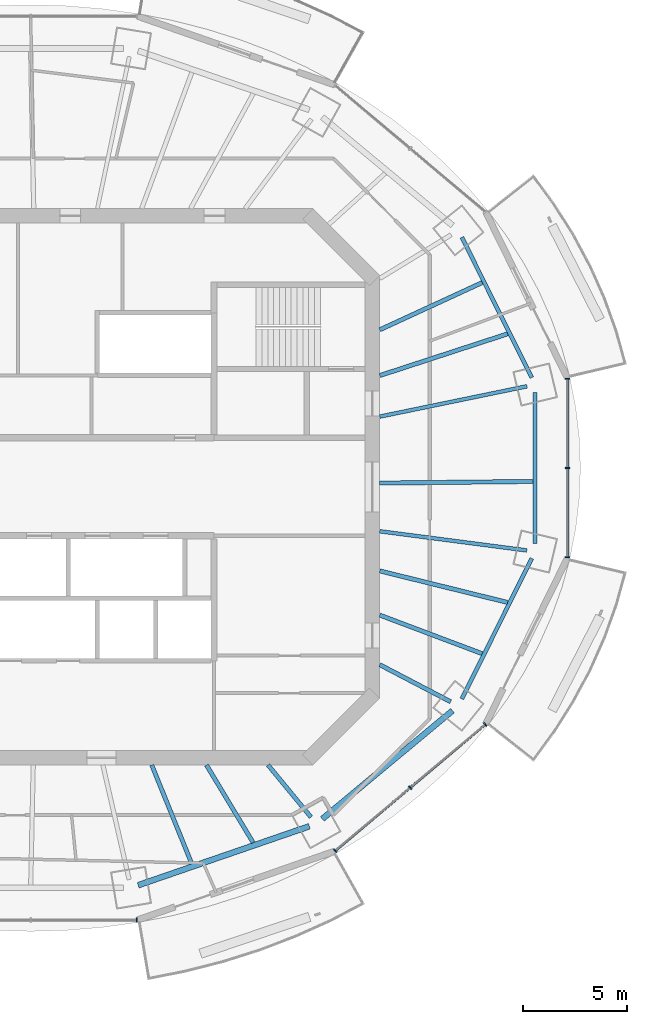
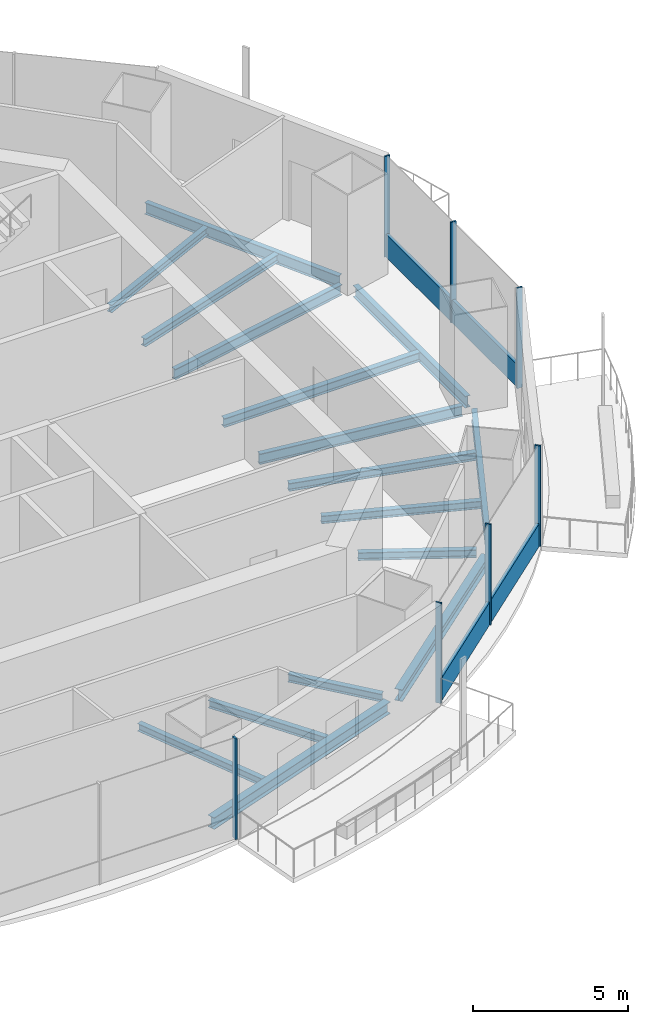
# One storey, part 4 of 16: 16 beams, 9 members, 3 elements without a shape of their own.
"""IFC4 building model written with IfcOpenShell, lengths in metres."""

from ifc_helpers import new_model, si_unit, direction, frame, origin, origin_2d, place, context, subcontext, project, spatial, rectangle, i_section, extrude, material, material_profile, profile_set, type_object, element, aggregate, save


model = new_model("IFC4")

# Units and contexts
model_context = context("Model", 3, precision=1e-05, world=origin(), true_north=direction((0.0, 1.0)))
body_context = subcontext(model_context, "Body", "Model", "MODEL_VIEW")
ifc_project = project(units=[si_unit("LENGTHUNIT", "METRE"), si_unit("AREAUNIT", "SQUARE_METRE"), si_unit("VOLUMEUNIT", "CUBIC_METRE"), si_unit("PLANEANGLEUNIT", "RADIAN"), si_unit("MASSUNIT", "GRAM", prefix="KILO")], contexts=[model_context])

# Site, building, storey
site_placement = place(None, origin())
site = spatial("IfcSite", under=ifc_project, at=site_placement, CompositionType="ELEMENT")
building_placement = place(site_placement, origin())
building = spatial("IfcBuilding", under=site, at=building_placement, Name="Marenthal Gate Tower", CompositionType="ELEMENT")
storey_placement = place(building_placement, frame((0.0, 0.0, 363.35009765625)))
storey = spatial("IfcBuildingStorey", under=building, at=storey_placement, Name="L82", CompositionType="ELEMENT", Elevation=363.35009765625)

# Curtain wall, member
ifc_material_1 = material(Name="Aluminium and glass", Category="aluminium")
curtain_wall_type = type_object("IfcCurtainWallType", Name="Curtain wall typical high", PredefinedType="NOTDEFINED", material=ifc_material_1)
curtain_wall_1_placement = place(storey_placement, origin())
curtain_wall_1 = element("IfcCurtainWall", 1, at=curtain_wall_1_placement, inside=storey, type_object=curtain_wall_type, Name="Curtain wall L82 bay 12", PredefinedType="NOTDEFINED")
ifc_material_2 = material(Name="Aluminium", Category="aluminium")
ifc_material_profile_1 = material_profile(ifc_material_2, rectangle(XDim=0.199951171875, YDim=0.06005859375, at=origin_2d()), Name="60x200 aluminium mullion")
ifc_profile_set_1 = profile_set([ifc_material_profile_1], Name="Aluminium")
member_type_1 = type_object("IfcMemberType", Name="Mullion 60x200 typical high", PredefinedType="MULLION", material=ifc_profile_set_1)
member_1_placement = place(storey_placement, frame((4.694091796875, -20.7861328125, 0.0), z_axis=(0.0, 0.0, 1.0), x_axis=(0.0, 1.0, 0.0)))
member_1 = element("IfcMember", 2, at=member_1_placement, type_object=member_type_1, Name="Mullion L82 bay 12.3", PredefinedType="MULLION", context=body_context, shape_type="SweptSolid", body=[
    extrude(rectangle(XDim=0.199951171875, YDim=0.06005859375, at=origin_2d()), origin(), (0.0, 0.0, 1.0), 3.969970703125),
])
aggregate(curtain_wall_1, [member_1])

# Curtain wall, members
curtain_wall_2_placement = place(storey_placement, origin())
curtain_wall_2 = element("IfcCurtainWall", 3, at=curtain_wall_2_placement, inside=storey, type_object=curtain_wall_type, Name="Curtain wall L82 bay 14", PredefinedType="NOTDEFINED")
member_2_placement = place(storey_placement, frame((14.215087890625, -17.46533203125, 0.0), z_axis=(0.0, 0.0, 1.0), x_axis=(-0.644022605429, 0.765006459905, 0.0)))
member_2 = element("IfcMember", 4, at=member_2_placement, type_object=member_type_1, Name="Mullion L82 bay 14.1", PredefinedType="MULLION", context=body_context, shape_type="SweptSolid", body=[
    extrude(rectangle(XDim=0.199951171875, YDim=0.06005859375, at=origin_2d()), origin(), (0.0, 0.0, 1.0), 3.969970703125),
])
member_3_placement = place(storey_placement, frame((17.8154296875, -14.434326171875, 0.0), z_axis=(0.0, 0.0, 1.0), x_axis=(-0.644022605429, 0.765006459905, 0.0)))
member_3 = element("IfcMember", 5, at=member_3_placement, type_object=member_type_1, Name="Mullion L82 bay 14.2", PredefinedType="MULLION", context=body_context, shape_type="SweptSolid", body=[
    extrude(rectangle(XDim=0.199951171875, YDim=0.06005859375, at=origin_2d()), origin(), (0.0, 0.0, 1.0), 3.969970703125),
])
member_4_placement = place(storey_placement, frame((21.41552734375, -11.403564453125, 0.0), z_axis=(0.0, 0.0, 1.0), x_axis=(-0.644022605429, 0.765006459905, 0.0)))
member_4 = element("IfcMember", 6, at=member_4_placement, type_object=member_type_1, Name="Mullion L82 bay 14.3", PredefinedType="MULLION", context=body_context, shape_type="SweptSolid", body=[
    extrude(rectangle(XDim=0.199951171875, YDim=0.06005859375, at=origin_2d()), origin(), (0.0, 0.0, 1.0), 3.969970703125),
])

curtain_wall_3_placement = place(storey_placement, origin())
curtain_wall_3 = element("IfcCurtainWall", 7, at=curtain_wall_3_placement, inside=storey, type_object=curtain_wall_type, Name="Curtain wall L82 bay 16", PredefinedType="NOTDEFINED")
member_5_placement = place(storey_placement, frame((25.3603515625, -3.383544921875, 0.0), z_axis=(0.0, 0.0, 1.0), x_axis=(-1.0, 0.0, 0.0)))
member_5 = element("IfcMember", 8, at=member_5_placement, type_object=member_type_1, Name="Mullion L82 bay 16.1", PredefinedType="MULLION", context=body_context, shape_type="SweptSolid", body=[
    extrude(rectangle(XDim=0.199951171875, YDim=0.06005859375, at=origin_2d()), origin(), (0.0, 0.0, 1.0), 3.969970703125),
])
member_6_placement = place(storey_placement, frame((25.3603515625, 0.89990234375, 0.0), z_axis=(0.0, 0.0, 1.0), x_axis=(-1.0, 0.0, 0.0)))
member_6 = element("IfcMember", 9, at=member_6_placement, type_object=member_type_1, Name="Mullion L82 bay 16.2", PredefinedType="MULLION", context=body_context, shape_type="SweptSolid", body=[
    extrude(rectangle(XDim=0.199951171875, YDim=0.06005859375, at=origin_2d()), origin(), (0.0, 0.0, 1.0), 3.969970703125),
])
member_7_placement = place(storey_placement, frame((25.3603515625, 5.18359375, 0.0), z_axis=(0.0, 0.0, 1.0), x_axis=(-1.0, 0.0, 0.0)))
member_7 = element("IfcMember", 10, at=member_7_placement, type_object=member_type_1, Name="Mullion L82 bay 16.3", PredefinedType="MULLION", context=body_context, shape_type="SweptSolid", body=[
    extrude(rectangle(XDim=0.199951171875, YDim=0.06005859375, at=origin_2d()), origin(), (0.0, 0.0, 1.0), 3.969970703125),
])

# Member
ifc_material_3 = material(Name="Aluminium", Category="aluminium")
ifc_material_profile_2 = material_profile(ifc_material_3, rectangle(XDim=0.1201171875, YDim=0.89990234375, at=origin_2d()), Name="120x900 aluminium transom")
ifc_profile_set_2 = profile_set([ifc_material_profile_2], Name="Aluminium")
member_type_2 = type_object("IfcMemberType", Name="Transom 120x900 typical high", PredefinedType="USERDEFINED", material=ifc_profile_set_2)
member_8_placement = place(storey_placement, frame((14.238037109375, -17.446044921875, 0.449951171875), z_axis=(0.764999870882, 0.644030432162, 0.0), x_axis=(-0.644030432162, 0.764999870882, 0.0)))
member_8 = element("IfcMember", 11, at=member_8_placement, type_object=member_type_2, Name="Transom L82 bay 14", ObjectType="TRANSOM", PredefinedType="USERDEFINED", context=body_context, shape_type="SweptSolid", body=[
    extrude(rectangle(XDim=0.1201171875, YDim=0.89990234375, at=origin_2d()), origin(), (0.0, 0.0, 1.0), 9.352294921875),
])

aggregate(curtain_wall_2, [member_2, member_3, member_4, member_8])

member_9_placement = place(storey_placement, frame((25.3603515625, -3.353515625, 0.449951171875), z_axis=(0.0, 1.0, 0.0), x_axis=(-1.0, 0.0, 0.0)))
member_9 = element("IfcMember", 12, at=member_9_placement, type_object=member_type_2, Name="Transom L82 bay 16", ObjectType="TRANSOM", PredefinedType="USERDEFINED", context=body_context, shape_type="SweptSolid", body=[
    extrude(rectangle(XDim=0.1201171875, YDim=0.89990234375, at=origin_2d()), origin(), (0.0, 0.0, 1.0), 8.507080078125),
])

aggregate(curtain_wall_3, [member_5, member_6, member_7, member_9])

# Beams
ifc_material_4 = material(Name="Steel S355", Category="steel")
ifc_material_profile_3 = material_profile(ifc_material_4, i_section(OverallWidth=0.202880859375, OverallDepth=0.302001953125, WebThickness=0.007568359375, FlangeThickness=0.01318359375, FilletRadius=0.0126953125, at=origin_2d()), Name="W310X60")
ifc_profile_set_3 = profile_set([ifc_material_profile_3], Name="Steel S355")
beam_type_1 = type_object("IfcBeamType", Name="W310X60 beam", PredefinedType="BEAM", material=ifc_profile_set_3)
beam_1_placement = place(storey_placement, frame((21.2666015625, 9.79931640625, -0.3310546875), z_axis=(-0.90822452273, -0.418483233013, 0.0), x_axis=(0.418483233013, -0.90822452273, 0.0)))
element("IfcBeam", 13, at=beam_1_placement, inside=storey, type_object=beam_type_1, Name="BM-L82-18", PredefinedType="BEAM", context=body_context, shape_type="SweptSolid", body=[
    extrude(i_section(OverallWidth=0.202880859375, OverallDepth=0.302001953125, WebThickness=0.007568359375, FlangeThickness=0.01318359375, FilletRadius=0.0126953125, at=origin_2d()), origin(), (0.0, 0.0, 1.0), 5.413330078125),
])
beam_2_placement = place(storey_placement, frame((7.32958984375, -18.085205078125, -0.3310546875), z_axis=(-0.375629684386, 0.92676984209, 0.0), x_axis=(-0.92676984209, -0.375629684386, 0.0)))
element("IfcBeam", 14, at=beam_2_placement, inside=storey, type_object=beam_type_1, Name="BM-L82-34", PredefinedType="BEAM", context=body_context, shape_type="SweptSolid", body=[
    extrude(i_section(OverallWidth=0.202880859375, OverallDepth=0.302001953125, WebThickness=0.007568359375, FlangeThickness=0.01318359375, FilletRadius=0.0126953125, at=origin_2d()), origin(), (0.0, 0.0, 1.0), 5.109375),
])
beam_3_placement = place(storey_placement, frame((10.274658203125, -17.070556640625, -0.3310546875), z_axis=(-0.515718873754, 0.856757867343, 0.0), x_axis=(-0.856757867343, -0.515718873754, 0.0)))
element("IfcBeam", 15, at=beam_3_placement, inside=storey, type_object=beam_type_1, Name="BM-L82-35", PredefinedType="BEAM", context=body_context, shape_type="SweptSolid", body=[
    extrude(i_section(OverallWidth=0.202880859375, OverallDepth=0.302001953125, WebThickness=0.007568359375, FlangeThickness=0.01318359375, FilletRadius=0.0126953125, at=origin_2d()), origin(), (0.0, 0.0, 1.0), 4.342529296875),
])
beam_4_placement = place(storey_placement, frame((21.263671875, -8.005615234375, -0.3310546875), z_axis=(-0.935858242886, 0.352376714926, 0.0), x_axis=(-0.352376714926, -0.935858242886, 0.0)))
element("IfcBeam", 16, at=beam_4_placement, inside=storey, type_object=beam_type_1, Name="BM-L82-36", PredefinedType="BEAM", context=body_context, shape_type="SweptSolid", body=[
    extrude(i_section(OverallWidth=0.202880859375, OverallDepth=0.302001953125, WebThickness=0.007568359375, FlangeThickness=0.01318359375, FilletRadius=0.0126953125, at=origin_2d()), origin(), (0.0, 0.0, 1.0), 5.250244140625),
])
ifc_material_5 = material(Name="Steel S355", Category="steel")
ifc_material_profile_4 = material_profile(ifc_material_5, i_section(OverallWidth=0.205078125, OverallDepth=0.31005859375, WebThickness=0.009521484375, FlangeThickness=0.016357421875, FilletRadius=0.0126953125, at=origin_2d()), Name="W310X74")
ifc_profile_set_4 = profile_set([ifc_material_profile_4], Name="Steel S355")
beam_type_2 = type_object("IfcBeamType", Name="W310X74 beam", PredefinedType="BEAM", material=ifc_profile_set_4)
beam_5_placement = place(storey_placement, frame((13.050537109375, -15.8505859375, -0.335205078125), z_axis=(-0.635635916032, 0.771988978063, 0.0), x_axis=(-0.771988978063, -0.635635916032, 0.0)))
element("IfcBeam", 17, at=beam_5_placement, inside=storey, type_object=beam_type_2, Name="BM-L82-14", PredefinedType="BEAM", context=body_context, shape_type="SweptSolid", body=[
    extrude(i_section(OverallWidth=0.205078125, OverallDepth=0.31005859375, WebThickness=0.009521484375, FlangeThickness=0.016357421875, FilletRadius=0.0126953125, at=origin_2d()), origin(), (0.0, 0.0, 1.0), 3.239013671875),
])
beam_6_placement = place(storey_placement, frame((19.754638671875, -10.313232421875, -0.335205078125), z_axis=(-0.88644539242, 0.462833194852, 0.0), x_axis=(-0.462833194852, -0.88644539242, 0.0)))
element("IfcBeam", 18, at=beam_6_placement, inside=storey, type_object=beam_type_2, Name="BM-L82-15", PredefinedType="BEAM", context=body_context, shape_type="SweptSolid", body=[
    extrude(i_section(OverallWidth=0.205078125, OverallDepth=0.31005859375, WebThickness=0.009521484375, FlangeThickness=0.016357421875, FilletRadius=0.0126953125, at=origin_2d()), origin(), (0.0, 0.0, 1.0), 3.840576171875),
])
beam_7_placement = place(storey_placement, frame((22.490234375, 7.34228515625, -0.335205078125), z_axis=(-0.950630491123, -0.310325102669, 0.0), x_axis=(0.310325102669, -0.950630491123, 0.0)))
element("IfcBeam", 19, at=beam_7_placement, inside=storey, type_object=beam_type_2, Name="BM-L82-17", PredefinedType="BEAM", context=body_context, shape_type="SweptSolid", body=[
    extrude(i_section(OverallWidth=0.205078125, OverallDepth=0.31005859375, WebThickness=0.009521484375, FlangeThickness=0.016357421875, FilletRadius=0.0126953125, at=origin_2d()), origin(), (0.0, 0.0, 1.0), 6.458984375),
])
beam_8_placement = place(storey_placement, frame((22.487060546875, -5.549072265625, -0.335205078125), z_axis=(-0.970876392675, 0.239580946961, 0.0), x_axis=(-0.239580946961, -0.970876392675, 0.0)))
element("IfcBeam", 20, at=beam_8_placement, inside=storey, type_object=beam_type_2, Name="BM-L82-37", PredefinedType="BEAM", context=body_context, shape_type="SweptSolid", body=[
    extrude(i_section(OverallWidth=0.205078125, OverallDepth=0.31005859375, WebThickness=0.009521484375, FlangeThickness=0.016357421875, FilletRadius=0.0126953125, at=origin_2d()), origin(), (0.0, 0.0, 1.0), 6.321044921875),
])
ifc_material_6 = material(Name="Steel S355", Category="steel")
ifc_material_profile_5 = material_profile(ifc_material_6, i_section(OverallWidth=0.205078125, OverallDepth=0.35302734375, WebThickness=0.009521484375, FlangeThickness=0.016845703125, FilletRadius=0.014892578125, at=origin_2d()), Name="W360X79")
ifc_profile_set_5 = profile_set([ifc_material_profile_5], Name="Steel S355")
beam_type_3 = type_object("IfcBeamType", Name="W360X79 beam", PredefinedType="BEAM", material=ifc_profile_set_5)
beam_9_placement = place(storey_placement, frame((23.715087890625, 0.258056640625, -0.356689453125), z_axis=(-0.999940896263, -0.010872165412, 0.0), x_axis=(0.010872165412, -0.999940896263, 0.0)))
element("IfcBeam", 21, at=beam_9_placement, inside=storey, type_object=beam_type_3, Name="BM-L82-38", PredefinedType="BEAM", context=body_context, shape_type="SweptSolid", body=[
    extrude(i_section(OverallWidth=0.205078125, OverallDepth=0.35302734375, WebThickness=0.009521484375, FlangeThickness=0.016845703125, FilletRadius=0.014892578125, at=origin_2d()), origin(), (0.0, 0.0, 1.0), 7.365478515625),
])
ifc_material_7 = material(Name="Steel S355", Category="steel")
ifc_material_profile_6 = material_profile(ifc_material_7, i_section(OverallWidth=0.180908203125, OverallDepth=0.4169921875, WebThickness=0.010986328125, FlangeThickness=0.018310546875, FilletRadius=0.01025390625, at=origin_2d()), Name="W410X85")
ifc_profile_set_6 = profile_set([ifc_material_profile_6], Name="Steel S355")
beam_type_4 = type_object("IfcBeamType", Name="W410X85 beam", PredefinedType="BEAM", material=ifc_profile_set_6)
beam_10_placement = place(storey_placement, frame((23.41845703125, 4.82470703125, -0.388671875), z_axis=(-0.979428341532, -0.201792278849, 0.0), x_axis=(0.201792278849, -0.979428341532, 0.0)))
element("IfcBeam", 22, at=beam_10_placement, inside=storey, type_object=beam_type_4, Name="BM-L82-01", PredefinedType="BEAM", context=body_context, shape_type="SweptSolid", body=[
    extrude(i_section(OverallWidth=0.180908203125, OverallDepth=0.4169921875, WebThickness=0.010986328125, FlangeThickness=0.018310546875, FilletRadius=0.01025390625, at=origin_2d()), origin(), (0.0, 0.0, 1.0), 7.216796875),
])
beam_11_placement = place(storey_placement, frame((23.4091796875, -3.052978515625, -0.388671875), z_axis=(-0.991602132217, 0.129325988815, 0.0), x_axis=(-0.129325988815, -0.991602132217, 0.0)))
element("IfcBeam", 23, at=beam_11_placement, inside=storey, type_object=beam_type_4, Name="BM-L82-16", PredefinedType="BEAM", context=body_context, shape_type="SweptSolid", body=[
    extrude(i_section(OverallWidth=0.180908203125, OverallDepth=0.4169921875, WebThickness=0.010986328125, FlangeThickness=0.018310546875, FilletRadius=0.01025390625, at=origin_2d()), origin(), (0.0, 0.0, 1.0), 7.118896484375),
])
ifc_material_8 = material(Name="Steel S355", Category="steel")
ifc_material_profile_7 = material_profile(ifc_material_8, i_section(OverallWidth=0.279052734375, OverallDepth=0.4619140625, WebThickness=0.0107421875, FlangeThickness=0.017333984375, FilletRadius=0.010009765625, at=origin_2d()), Name="W460X113")
ifc_profile_set_7 = profile_set([ifc_material_profile_7], Name="Steel S355")
beam_type_5 = type_object("IfcBeamType", Name="W460X113 beam", PredefinedType="BEAM", material=ifc_profile_set_7)
beam_12_placement = place(storey_placement, frame((4.75830078125, -19.11865234375, -0.4111328125), z_axis=(0.945462255224, 0.325731674766, 0.0), x_axis=(-0.325731674766, 0.945462255224, 0.0)))
element("IfcBeam", 24, at=beam_12_placement, inside=storey, type_object=beam_type_5, Name="BM-L82-51", PredefinedType="BEAM", context=body_context, shape_type="SweptSolid", body=[
    extrude(i_section(OverallWidth=0.279052734375, OverallDepth=0.4619140625, WebThickness=0.0107421875, FlangeThickness=0.017333984375, FilletRadius=0.010009765625, at=origin_2d()), origin(), (0.0, 0.0, 1.0), 8.68603515625),
])
beam_13_placement = place(storey_placement, frame((13.594970703125, -15.9375, -0.4111328125), z_axis=(0.768814455902, 0.639471916816, 0.0), x_axis=(-0.639471916816, 0.768814455902, 0.0)))
element("IfcBeam", 25, at=beam_13_placement, inside=storey, type_object=beam_type_5, Name="BM-L82-52", PredefinedType="BEAM", context=body_context, shape_type="SweptSolid", body=[
    extrude(i_section(OverallWidth=0.279052734375, OverallDepth=0.4619140625, WebThickness=0.0107421875, FlangeThickness=0.017333984375, FilletRadius=0.010009765625, at=origin_2d()), origin(), (0.0, 0.0, 1.0), 8.1259765625),
])
ifc_material_9 = material(Name="Steel S355", Category="steel")
ifc_material_profile_8 = material_profile(ifc_material_9, i_section(OverallWidth=0.19091796875, OverallDepth=0.45703125, WebThickness=0.009033203125, FlangeThickness=0.014404296875, FilletRadius=0.01025390625, at=origin_2d()), Name="W460X74")
ifc_profile_set_8 = profile_set([ifc_material_profile_8], Name="Steel S355")
beam_type_6 = type_object("IfcBeamType", Name="W460X74 beam", PredefinedType="BEAM", material=ifc_profile_set_8)
for number, where, z_axis, x_axis, name in (
    (26, (23.644775390625, 5.23876953125, -0.40869140625), (-0.445798626481, 0.895133277578, 0.0), (-0.895133277578, -0.445798626481, 0.0), "BM-L82-39"),
    (27, (20.289794921875, -10.17529296875, -0.40869140625), (0.445798626481, 0.895133277578, 0.0), (-0.895133277578, 0.445798626481, 0.0), "BM-L82-53"),
):
    element("IfcBeam", number, at=place(storey_placement, frame(where, z_axis=z_axis, x_axis=x_axis)), inside=storey, type_object=beam_type_6, Name=name, PredefinedType="BEAM", context=body_context, shape_type="SweptSolid", body=[
        extrude(i_section(OverallWidth=0.19091796875, OverallDepth=0.45703125, WebThickness=0.009033203125, FlangeThickness=0.014404296875, FilletRadius=0.01025390625, at=origin_2d()), origin(), (0.0, 0.0, 1.0), 7.52587890625),
    ])
beam_14_placement = place(storey_placement, frame((23.810791015625, -2.7314453125, -0.40869140625), z_axis=(0.0, 1.0, 0.0), x_axis=(-1.0, 0.0, 0.0)))
element("IfcBeam", 28, at=beam_14_placement, inside=storey, type_object=beam_type_6, Name="BM-L82-54", PredefinedType="BEAM", context=body_context, shape_type="SweptSolid", body=[
    extrude(i_section(OverallWidth=0.19091796875, OverallDepth=0.45703125, WebThickness=0.009033203125, FlangeThickness=0.014404296875, FilletRadius=0.01025390625, at=origin_2d()), origin(), (0.0, 0.0, 1.0), 7.262939453125),
])

save(model, "model.ifc")
